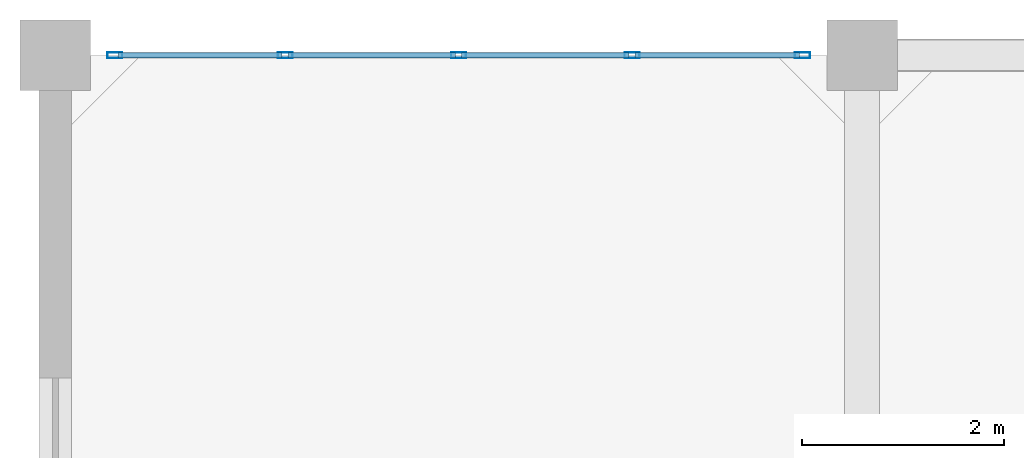
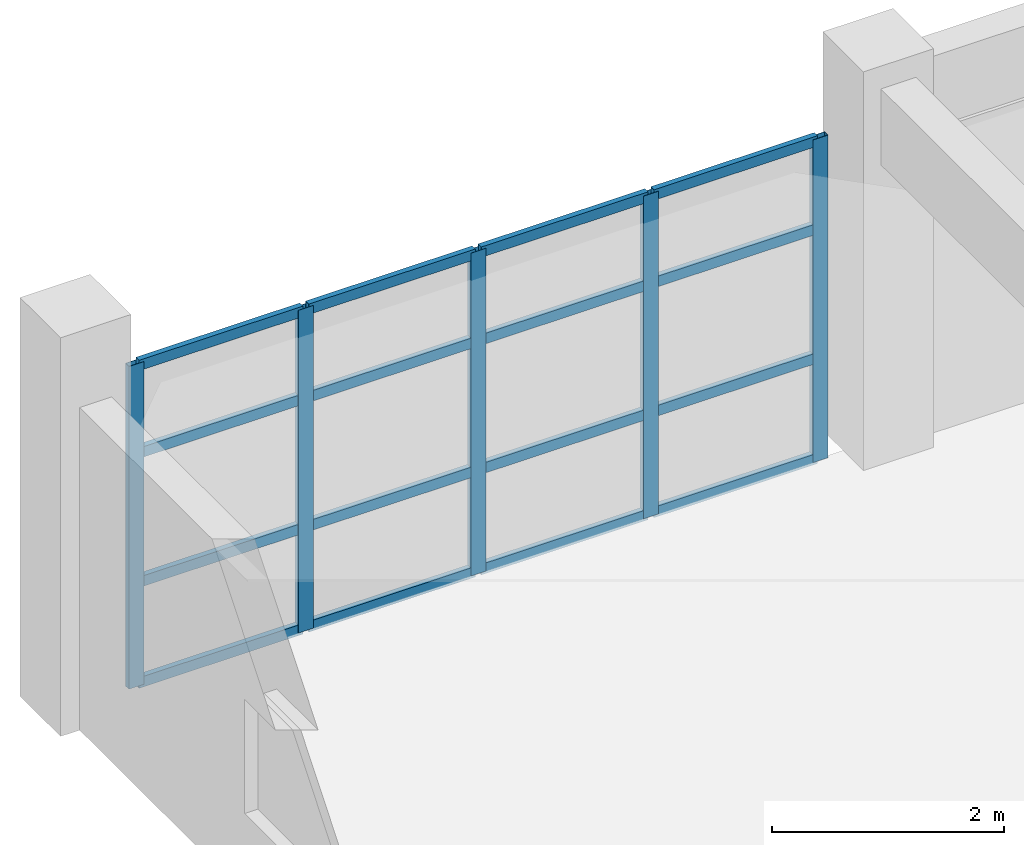
# One storey, part 14 of 27: 21 members, 1 element without a shape of its own.
"""IFC4 building model written with IfcOpenShell, lengths in metres."""

from ifc_helpers import new_model, si_unit, direction, frame, origin, origin_2d, place, context, subcontext, project, spatial, hollow_rectangle, extrude, material, layer, layer_set, material_profile, profile_set, type_object, element, aggregate, save


model = new_model("IFC4")

# Units and contexts
model_context = context("Model", 3, precision=1e-05, world=origin(), true_north=direction((0.0, 1.0)))
body_context = subcontext(model_context, "Body", "Model", "MODEL_VIEW")
ifc_project = project(units=[si_unit("LENGTHUNIT", "METRE"), si_unit("AREAUNIT", "SQUARE_METRE"), si_unit("VOLUMEUNIT", "CUBIC_METRE"), si_unit("PLANEANGLEUNIT", "RADIAN"), si_unit("MASSUNIT", "GRAM", prefix="KILO")], contexts=[model_context])

# Site, building, storey
site_placement = place(None, origin())
site = spatial("IfcSite", under=ifc_project, at=site_placement, CompositionType="ELEMENT")
building_placement = place(site_placement, origin())
building = spatial("IfcBuilding", under=site, at=building_placement, Name="Canggui Botanical Conservatory", CompositionType="ELEMENT")
storey_placement = place(building_placement, frame((0.0, 0.0, 36.0)))
storey = spatial("IfcBuildingStorey", under=building, at=storey_placement, Name="L09", CompositionType="ELEMENT", Elevation=36.0)

# Curtain wall, members
ifc_material = material(Name="Thermally Broken Aluminium", Category="aluminium")
ifc_layer = layer(ifc_material, 0.14990234375, Name="Thermally Broken Aluminium", Category="aluminium")
ifc_layer_set = layer_set([ifc_layer], Name="Thermally Broken Aluminium")
curtain_wall_type = type_object("IfcCurtainWallType", Name="CW-UNIT-C", PredefinedType="USERDEFINED", material=ifc_layer_set)
curtain_wall_placement = place(storey_placement, origin())
curtain_wall = element("IfcCurtainWall", 1, at=curtain_wall_placement, inside=storey, type_object=curtain_wall_type, Name="Facade Curtain Wall CW-TWR-L09-11", ObjectType="UNITISED CURTAIN WALL", PredefinedType="USERDEFINED")
ifc_material_profile_1 = material_profile(ifc_material, hollow_rectangle(XDim=0.06005859375, YDim=0.14990234375, WallThickness=0.00341796875, at=origin_2d()), Name="CWM 60x150x3.5")
ifc_profile_set_1 = profile_set([ifc_material_profile_1], Name="Thermally Broken Aluminium")
member_type_1 = type_object("IfcMemberType", Name="CWM-03", PredefinedType="MULLION", material=ifc_profile_set_1)
member_1_placement = place(storey_placement, frame((138.590087890625, 74.0, 0.0), z_axis=(0.0, 0.0, 1.0), x_axis=(0.0, 1.0, 0.0)))
member_1 = element("IfcMember", 2, at=member_1_placement, type_object=member_type_1, Name="CW-03 mullion 1", PredefinedType="MULLION", context=body_context, shape_type="SweptSolid", body=[
    extrude(hollow_rectangle(XDim=0.06005859375, YDim=0.14990234375, WallThickness=0.00341796875, at=origin_2d()), origin(), (0.0, 0.0, 1.0), 3.39990234375),
])
member_2_placement = place(storey_placement, frame((140.280029296875, 74.0, 0.0), z_axis=(0.0, 0.0, 1.0), x_axis=(0.0, 1.0, 0.0)))
member_2 = element("IfcMember", 3, at=member_2_placement, type_object=member_type_1, Name="CW-03 mullion 2", PredefinedType="MULLION", context=body_context, shape_type="SweptSolid", body=[
    extrude(hollow_rectangle(XDim=0.06005859375, YDim=0.14990234375, WallThickness=0.00341796875, at=origin_2d()), origin(), (0.0, 0.0, 1.0), 3.39990234375),
])
member_3_placement = place(storey_placement, frame((142.0, 74.0, 0.0), z_axis=(0.0, 0.0, 1.0), x_axis=(0.0, 1.0, 0.0)))
member_3 = element("IfcMember", 4, at=member_3_placement, type_object=member_type_1, Name="CW-03 mullion 3", PredefinedType="MULLION", context=body_context, shape_type="SweptSolid", body=[
    extrude(hollow_rectangle(XDim=0.06005859375, YDim=0.14990234375, WallThickness=0.00341796875, at=origin_2d()), origin(), (0.0, 0.0, 1.0), 3.39990234375),
])
member_4_placement = place(storey_placement, frame((143.719970703125, 74.0, 0.0), z_axis=(0.0, 0.0, 1.0), x_axis=(0.0, 1.0, 0.0)))
member_4 = element("IfcMember", 5, at=member_4_placement, type_object=member_type_1, Name="CW-03 mullion 4", PredefinedType="MULLION", context=body_context, shape_type="SweptSolid", body=[
    extrude(hollow_rectangle(XDim=0.06005859375, YDim=0.14990234375, WallThickness=0.00341796875, at=origin_2d()), origin(), (0.0, 0.0, 1.0), 3.39990234375),
])
member_5_placement = place(storey_placement, frame((145.409912109375, 74.0, 0.0), z_axis=(0.0, 0.0, 1.0), x_axis=(0.0, 1.0, 0.0)))
member_5 = element("IfcMember", 6, at=member_5_placement, type_object=member_type_1, Name="CW-03 mullion 5", PredefinedType="MULLION", context=body_context, shape_type="SweptSolid", body=[
    extrude(hollow_rectangle(XDim=0.06005859375, YDim=0.14990234375, WallThickness=0.00341796875, at=origin_2d()), origin(), (0.0, 0.0, 1.0), 3.39990234375),
])
ifc_material_profile_2 = material_profile(ifc_material, hollow_rectangle(XDim=0.054931640625, YDim=0.110107421875, WallThickness=0.0029296875, at=origin_2d()), Name="CWT 55x110x3")
ifc_profile_set_2 = profile_set([ifc_material_profile_2], Name="Thermally Broken Aluminium")
member_type_2 = type_object("IfcMemberType", Name="CWT-03", PredefinedType="USERDEFINED", material=ifc_profile_set_2)
member_6_placement = place(storey_placement, frame((138.6201171875, 74.0, 0.027587890625), z_axis=(1.0, 0.0, 0.0), x_axis=(0.0, 1.0, 0.0)))
member_6 = element("IfcMember", 7, at=member_6_placement, type_object=member_type_2, Name="CW-03 transom 1.1", ObjectType="TRANSOM", PredefinedType="USERDEFINED", context=body_context, shape_type="SweptSolid", body=[
    extrude(hollow_rectangle(XDim=0.054931640625, YDim=0.110107421875, WallThickness=0.0029296875, at=origin_2d()), origin(), (0.0, 0.0, 1.0), 1.6298828125),
])
member_7_placement = place(storey_placement, frame((138.6201171875, 74.0, 1.087890625), z_axis=(1.0, 0.0, 0.0), x_axis=(0.0, 1.0, 0.0)))
member_7 = element("IfcMember", 8, at=member_7_placement, type_object=member_type_2, Name="CW-03 transom 1.2", ObjectType="TRANSOM", PredefinedType="USERDEFINED", context=body_context, shape_type="SweptSolid", body=[
    extrude(hollow_rectangle(XDim=0.054931640625, YDim=0.110107421875, WallThickness=0.0029296875, at=origin_2d()), origin(), (0.0, 0.0, 1.0), 1.6298828125),
])
member_8_placement = place(storey_placement, frame((138.6201171875, 74.0, 2.447998046875), z_axis=(1.0, 0.0, 0.0), x_axis=(0.0, 1.0, 0.0)))
member_8 = element("IfcMember", 9, at=member_8_placement, type_object=member_type_2, Name="CW-03 transom 1.3", ObjectType="TRANSOM", PredefinedType="USERDEFINED", context=body_context, shape_type="SweptSolid", body=[
    extrude(hollow_rectangle(XDim=0.054931640625, YDim=0.110107421875, WallThickness=0.0029296875, at=origin_2d()), origin(), (0.0, 0.0, 1.0), 1.6298828125),
])
member_9_placement = place(storey_placement, frame((138.6201171875, 74.0, 3.37255859375), z_axis=(1.0, 0.0, 0.0), x_axis=(0.0, 1.0, 0.0)))
member_9 = element("IfcMember", 10, at=member_9_placement, type_object=member_type_2, Name="CW-03 transom 1.4", ObjectType="TRANSOM", PredefinedType="USERDEFINED", context=body_context, shape_type="SweptSolid", body=[
    extrude(hollow_rectangle(XDim=0.054931640625, YDim=0.110107421875, WallThickness=0.0029296875, at=origin_2d()), origin(), (0.0, 0.0, 1.0), 1.6298828125),
])
member_10_placement = place(storey_placement, frame((140.31005859375, 74.0, 0.027587890625), z_axis=(1.0, 0.0, 0.0), x_axis=(0.0, 1.0, 0.0)))
member_10 = element("IfcMember", 11, at=member_10_placement, type_object=member_type_2, Name="CW-03 transom 2.1", ObjectType="TRANSOM", PredefinedType="USERDEFINED", context=body_context, shape_type="SweptSolid", body=[
    extrude(hollow_rectangle(XDim=0.054931640625, YDim=0.110107421875, WallThickness=0.0029296875, at=origin_2d()), origin(), (0.0, 0.0, 1.0), 1.659912109375),
])
member_11_placement = place(storey_placement, frame((140.31005859375, 74.0, 1.087890625), z_axis=(1.0, 0.0, 0.0), x_axis=(0.0, 1.0, 0.0)))
member_11 = element("IfcMember", 12, at=member_11_placement, type_object=member_type_2, Name="CW-03 transom 2.2", ObjectType="TRANSOM", PredefinedType="USERDEFINED", context=body_context, shape_type="SweptSolid", body=[
    extrude(hollow_rectangle(XDim=0.054931640625, YDim=0.110107421875, WallThickness=0.0029296875, at=origin_2d()), origin(), (0.0, 0.0, 1.0), 1.659912109375),
])
member_12_placement = place(storey_placement, frame((140.31005859375, 74.0, 2.447998046875), z_axis=(1.0, 0.0, 0.0), x_axis=(0.0, 1.0, 0.0)))
member_12 = element("IfcMember", 13, at=member_12_placement, type_object=member_type_2, Name="CW-03 transom 2.3", ObjectType="TRANSOM", PredefinedType="USERDEFINED", context=body_context, shape_type="SweptSolid", body=[
    extrude(hollow_rectangle(XDim=0.054931640625, YDim=0.110107421875, WallThickness=0.0029296875, at=origin_2d()), origin(), (0.0, 0.0, 1.0), 1.659912109375),
])
member_13_placement = place(storey_placement, frame((140.31005859375, 74.0, 3.37255859375), z_axis=(1.0, 0.0, 0.0), x_axis=(0.0, 1.0, 0.0)))
member_13 = element("IfcMember", 14, at=member_13_placement, type_object=member_type_2, Name="CW-03 transom 2.4", ObjectType="TRANSOM", PredefinedType="USERDEFINED", context=body_context, shape_type="SweptSolid", body=[
    extrude(hollow_rectangle(XDim=0.054931640625, YDim=0.110107421875, WallThickness=0.0029296875, at=origin_2d()), origin(), (0.0, 0.0, 1.0), 1.659912109375),
])
member_14_placement = place(storey_placement, frame((142.030029296875, 74.0, 0.027587890625), z_axis=(1.0, 0.0, 0.0), x_axis=(0.0, 1.0, 0.0)))
member_14 = element("IfcMember", 15, at=member_14_placement, type_object=member_type_2, Name="CW-03 transom 3.1", ObjectType="TRANSOM", PredefinedType="USERDEFINED", context=body_context, shape_type="SweptSolid", body=[
    extrude(hollow_rectangle(XDim=0.054931640625, YDim=0.110107421875, WallThickness=0.0029296875, at=origin_2d()), origin(), (0.0, 0.0, 1.0), 1.659912109375),
])
member_15_placement = place(storey_placement, frame((142.030029296875, 74.0, 1.087890625), z_axis=(1.0, 0.0, 0.0), x_axis=(0.0, 1.0, 0.0)))
member_15 = element("IfcMember", 16, at=member_15_placement, type_object=member_type_2, Name="CW-03 transom 3.2", ObjectType="TRANSOM", PredefinedType="USERDEFINED", context=body_context, shape_type="SweptSolid", body=[
    extrude(hollow_rectangle(XDim=0.054931640625, YDim=0.110107421875, WallThickness=0.0029296875, at=origin_2d()), origin(), (0.0, 0.0, 1.0), 1.659912109375),
])
member_16_placement = place(storey_placement, frame((142.030029296875, 74.0, 2.447998046875), z_axis=(1.0, 0.0, 0.0), x_axis=(0.0, 1.0, 0.0)))
member_16 = element("IfcMember", 17, at=member_16_placement, type_object=member_type_2, Name="CW-03 transom 3.3", ObjectType="TRANSOM", PredefinedType="USERDEFINED", context=body_context, shape_type="SweptSolid", body=[
    extrude(hollow_rectangle(XDim=0.054931640625, YDim=0.110107421875, WallThickness=0.0029296875, at=origin_2d()), origin(), (0.0, 0.0, 1.0), 1.659912109375),
])
member_17_placement = place(storey_placement, frame((142.030029296875, 74.0, 3.37255859375), z_axis=(1.0, 0.0, 0.0), x_axis=(0.0, 1.0, 0.0)))
member_17 = element("IfcMember", 18, at=member_17_placement, type_object=member_type_2, Name="CW-03 transom 3.4", ObjectType="TRANSOM", PredefinedType="USERDEFINED", context=body_context, shape_type="SweptSolid", body=[
    extrude(hollow_rectangle(XDim=0.054931640625, YDim=0.110107421875, WallThickness=0.0029296875, at=origin_2d()), origin(), (0.0, 0.0, 1.0), 1.659912109375),
])
member_18_placement = place(storey_placement, frame((143.75, 74.0, 0.027587890625), z_axis=(1.0, 0.0, 0.0), x_axis=(0.0, 1.0, 0.0)))
member_18 = element("IfcMember", 19, at=member_18_placement, type_object=member_type_2, Name="CW-03 transom 4.1", ObjectType="TRANSOM", PredefinedType="USERDEFINED", context=body_context, shape_type="SweptSolid", body=[
    extrude(hollow_rectangle(XDim=0.054931640625, YDim=0.110107421875, WallThickness=0.0029296875, at=origin_2d()), origin(), (0.0, 0.0, 1.0), 1.6298828125),
])
member_19_placement = place(storey_placement, frame((143.75, 74.0, 1.087890625), z_axis=(1.0, 0.0, 0.0), x_axis=(0.0, 1.0, 0.0)))
member_19 = element("IfcMember", 20, at=member_19_placement, type_object=member_type_2, Name="CW-03 transom 4.2", ObjectType="TRANSOM", PredefinedType="USERDEFINED", context=body_context, shape_type="SweptSolid", body=[
    extrude(hollow_rectangle(XDim=0.054931640625, YDim=0.110107421875, WallThickness=0.0029296875, at=origin_2d()), origin(), (0.0, 0.0, 1.0), 1.6298828125),
])
member_20_placement = place(storey_placement, frame((143.75, 74.0, 2.447998046875), z_axis=(1.0, 0.0, 0.0), x_axis=(0.0, 1.0, 0.0)))
member_20 = element("IfcMember", 21, at=member_20_placement, type_object=member_type_2, Name="CW-03 transom 4.3", ObjectType="TRANSOM", PredefinedType="USERDEFINED", context=body_context, shape_type="SweptSolid", body=[
    extrude(hollow_rectangle(XDim=0.054931640625, YDim=0.110107421875, WallThickness=0.0029296875, at=origin_2d()), origin(), (0.0, 0.0, 1.0), 1.6298828125),
])
member_21_placement = place(storey_placement, frame((143.75, 74.0, 3.37255859375), z_axis=(1.0, 0.0, 0.0), x_axis=(0.0, 1.0, 0.0)))
member_21 = element("IfcMember", 22, at=member_21_placement, type_object=member_type_2, Name="CW-03 transom 4.4", ObjectType="TRANSOM", PredefinedType="USERDEFINED", context=body_context, shape_type="SweptSolid", body=[
    extrude(hollow_rectangle(XDim=0.054931640625, YDim=0.110107421875, WallThickness=0.0029296875, at=origin_2d()), origin(), (0.0, 0.0, 1.0), 1.6298828125),
])
aggregate(curtain_wall, [member_1, member_2, member_3, member_4, member_5, member_6, member_7, member_8, member_9, member_10, member_11, member_12, member_13, member_14, member_15, member_16, member_17, member_18, member_19, member_20, member_21])

save(model, "model.ifc")
